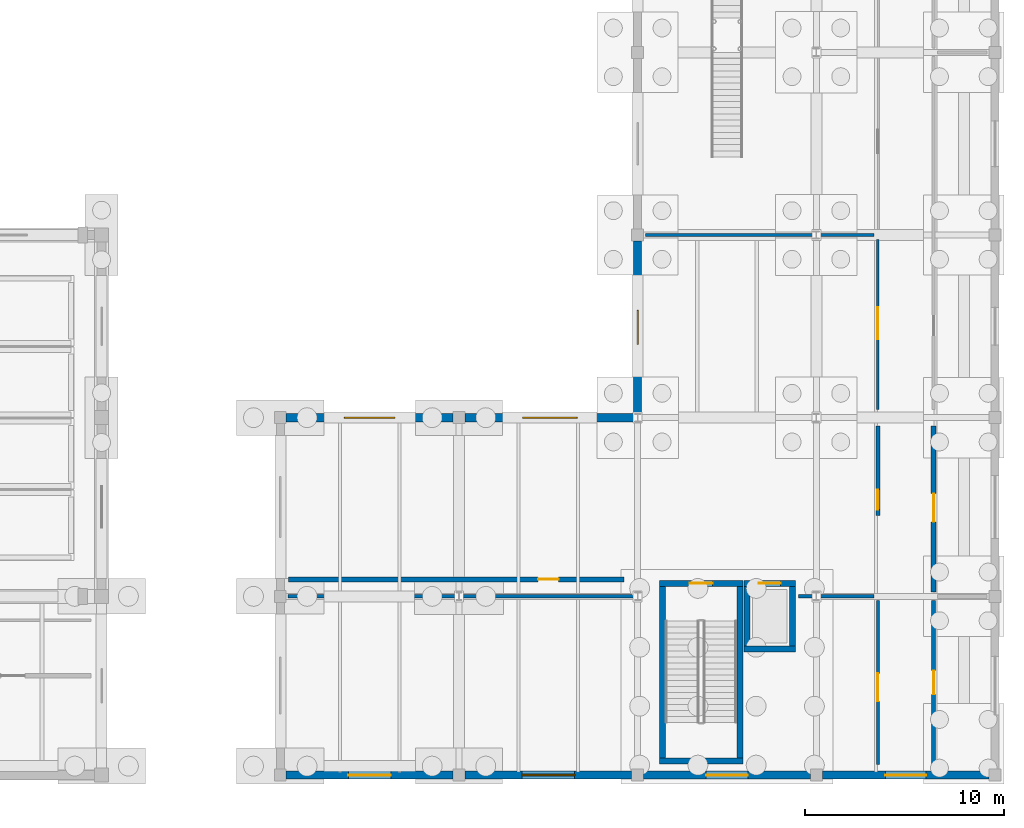
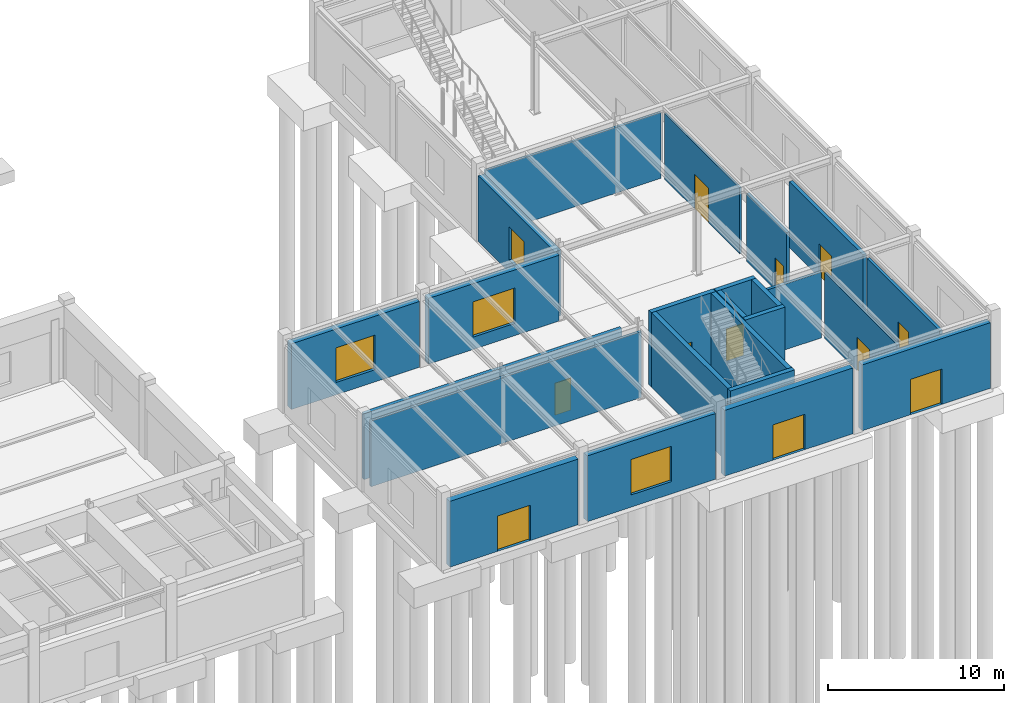
# One storey, part 61 of 76: 24 walls, 11 doors, 4 windows, 15 openings.
"""IFC4 building model written with IfcOpenShell, lengths in metres."""

from ifc_helpers import new_model, si_unit, direction, frame, frame_2d, origin, place, context, subcontext, project, spatial, rectangle, extrude, material, layer, layer_set, type_object, element, fill, save


model = new_model("IFC4")

# Units and contexts
model_context = context("Model", 3, precision=1e-05, world=origin(), true_north=direction((0.0, 1.0)))
body_context = subcontext(model_context, "Body", "Model", "MODEL_VIEW")
ifc_project = project(units=[si_unit("LENGTHUNIT", "METRE"), si_unit("AREAUNIT", "SQUARE_METRE"), si_unit("VOLUMEUNIT", "CUBIC_METRE"), si_unit("PLANEANGLEUNIT", "RADIAN"), si_unit("MASSUNIT", "GRAM", prefix="KILO")], contexts=[model_context])

# Site, building, storey
site_placement = place(None, origin())
site = spatial("IfcSite", under=ifc_project, at=site_placement, CompositionType="ELEMENT")
building_placement = place(site_placement, origin())
building = spatial("IfcBuilding", under=site, at=building_placement, Name="Bozkorgan Art Gallery", CompositionType="ELEMENT")
storey_placement = place(building_placement, origin())
storey = spatial("IfcBuildingStorey", under=building, at=storey_placement, Name="L00", CompositionType="ELEMENT", Elevation=0.0)

# Wall, opening, door
ifc_material_1 = material(Name="Concrete C40/50", Category="concrete")
ifc_layer_1 = layer(ifc_material_1, 0.300048828125, Name="Concrete C40/50")
ifc_layer_set_1 = layer_set([ifc_layer_1], Name="Concrete C40/50")
wall_type_1 = type_object("IfcWallType", Name="IWALL-CW-44", PredefinedType="SHEAR", material=ifc_layer_set_1)
wall_1_placement = place(storey_placement, frame((147.10009765625, 11.64990234375, 0.0), z_axis=(0.0, 0.0, 1.0), x_axis=(1.0, 0.0, 0.0)))
wall_1 = element("IfcWall", 1, at=wall_1_placement, inside=storey, type_object=wall_type_1, Name="CORE4 L00 stair core north shear wall", PredefinedType="SHEAR", context=body_context, shape_type="SweptSolid", body=[
    extrude(rectangle(XDim=4.199951171875, YDim=0.300048828125, at=frame_2d((2.10009765625, 0.0))), origin(), (0.0, 0.0, 1.0), 5.159912109375),
])
opening_1_placement = place(wall_1_placement, frame((1.52490234375, 0.0, 0.0)))
opening_1 = element("IfcOpeningElement", 2, at=opening_1_placement, cuts=wall_1, Name="Opening SD-41", PredefinedType="OPENING", context=body_context, shape_type="SweptSolid", body=[
    extrude(rectangle(XDim=1.14990234375, YDim=2.199951171875, at=frame_2d((0.574951171875, 1.10009765625))), frame((0.0, 0.16015625, 0.0), z_axis=(0.0, -1.0, 0.0), x_axis=(1.0, 0.0, 0.0)), (0.0, 0.0, 1.0), 0.320068359375),
])
ifc_material_2 = material(Name="Steel S355J2", Category="steel")
door_type_1 = type_object("IfcDoorType", Name="IDOOR-SD-41", OperationType="NOTDEFINED", PredefinedType="DOOR", material=ifc_material_2)
door_1_placement = place(opening_1_placement, origin())
door_1 = element("IfcDoor", 3, at=door_1_placement, inside=storey, type_object=door_type_1, Name="ST4 L00 Fire Stair Door", OperationType="SINGLE_SWING_LEFT", OverallHeight=2.199951171875, OverallWidth=1.14990234375, PredefinedType="DOOR", context=body_context, shape_type="SweptSolid", body=[
    extrude(rectangle(XDim=1.14990234375, YDim=2.199951171875, at=frame_2d((0.574951171875, 1.10009765625))), frame((0.0, 0.02490234375, 0.0), z_axis=(0.0, -1.0, 0.0), x_axis=(1.0, 0.0, 0.0)), (0.0, 0.0, 1.0), 0.050048828125),
])
fill(opening_1, door_1)

# Walls
wall_2_placement = place(storey_placement, frame((147.10009765625, 2.699951171875, 0.0), z_axis=(0.0, 0.0, 1.0), x_axis=(1.0, 0.0, 0.0)))
element("IfcWall", 4, at=wall_2_placement, inside=storey, type_object=wall_type_1, Name="CORE4 L00 stair core S shear wall", PredefinedType="SHEAR", context=body_context, shape_type="SweptSolid", body=[
    extrude(rectangle(XDim=4.199951171875, YDim=0.300048828125, at=frame_2d((2.10009765625, 0.0))), origin(), (0.0, 0.0, 1.0), 5.159912109375),
])
for number, where, z_axis, x_axis, name in (
    (5, (147.25, 2.85009765625, 0.0), (0.0, 0.0, 1.0), (0.0, 1.0, 0.0), "CORE4 L00 stair core W shear wall"),
    (6, (151.14990234375, 2.85009765625, 0.0), (0.0, 0.0, 1.0), (0.0, 1.0, 0.0), "CORE4 L00 stair core E shear wall"),
):
    element("IfcWall", number, at=place(storey_placement, frame(where, z_axis=z_axis, x_axis=x_axis)), inside=storey, type_object=wall_type_1, Name=name, PredefinedType="SHEAR", context=body_context, shape_type="SweptSolid", body=[
        extrude(rectangle(XDim=8.64990234375, YDim=0.300048828125, at=frame_2d((4.324951171875, 0.0))), origin(), (0.0, 0.0, 1.0), 5.159912109375),
    ])

# Wall, opening, door
wall_3_placement = place(storey_placement, frame((151.35009765625, 11.64990234375, 0.0), z_axis=(0.0, 0.0, 1.0), x_axis=(1.0, 0.0, 0.0)))
wall_3 = element("IfcWall", 7, at=wall_3_placement, inside=storey, type_object=wall_type_1, Name="PL4 L00 shaft front shear wall", PredefinedType="SHEAR", context=body_context, shape_type="SweptSolid", body=[
    extrude(rectangle(XDim=2.599853515625, YDim=0.300048828125, at=frame_2d((1.2998046875, 0.0))), origin(), (0.0, 0.0, 1.0), 5.159912109375),
])
opening_2_placement = place(wall_3_placement, frame((0.75, 0.0, 0.0)))
opening_2 = element("IfcOpeningElement", 8, at=opening_2_placement, cuts=wall_3, Name="Opening LD-25", PredefinedType="OPENING", context=body_context, shape_type="SweptSolid", body=[
    extrude(rectangle(XDim=1.10009765625, YDim=2.199951171875, at=frame_2d((0.550048828125, 1.10009765625))), frame((0.0, 0.16015625, 0.0), z_axis=(0.0, -1.0, 0.0), x_axis=(1.0, 0.0, 0.0)), (0.0, 0.0, 1.0), 0.320068359375),
])
door_type_2 = type_object("IfcDoorType", Name="IDOOR-LD-25", OperationType="NOTDEFINED", PredefinedType="DOOR", material=ifc_material_2)
door_2_placement = place(opening_2_placement, origin())
door_2 = element("IfcDoor", 9, at=door_2_placement, inside=storey, type_object=door_type_2, Name="LD-PL4-L00 Lift Landing Door", OperationType="SLIDING_TO_LEFT", OverallHeight=2.199951171875, OverallWidth=1.10009765625, PredefinedType="DOOR", context=body_context, shape_type="SweptSolid", body=[
    extrude(rectangle(XDim=1.10009765625, YDim=2.199951171875, at=frame_2d((0.550048828125, 1.10009765625))), frame((0.0, 0.02490234375, 0.0), z_axis=(0.0, -1.0, 0.0), x_axis=(1.0, 0.0, 0.0)), (0.0, 0.0, 1.0), 0.050048828125),
])
fill(opening_2, door_2)

# Walls
wall_4_placement = place(storey_placement, frame((151.35009765625, 8.35009765625, 0.0), z_axis=(0.0, 0.0, 1.0), x_axis=(1.0, 0.0, 0.0)))
element("IfcWall", 10, at=wall_4_placement, inside=storey, type_object=wall_type_1, Name="PL4 L00 shaft S shear wall", PredefinedType="SHEAR", context=body_context, shape_type="SweptSolid", body=[
    extrude(rectangle(XDim=2.599853515625, YDim=0.300048828125, at=frame_2d((1.2998046875, 0.0))), origin(), (0.0, 0.0, 1.0), 5.159912109375),
])
for number, where, z_axis, x_axis, name in (
    (11, (153.800048828125, 8.5, 0.0), (0.0, 0.0, 1.0), (0.0, 1.0, 0.0), "PL4 L00 shaft E shear wall"),
    (12, (151.5, 8.5, 0.0), (0.0, 0.0, 1.0), (0.0, 1.0, 0.0), "PL4 L00 shaft W shear wall"),
):
    element("IfcWall", number, at=place(storey_placement, frame(where, z_axis=z_axis, x_axis=x_axis)), inside=storey, type_object=wall_type_1, Name=name, PredefinedType="SHEAR", context=body_context, shape_type="SweptSolid", body=[
        extrude(rectangle(XDim=3.0, YDim=0.300048828125, at=frame_2d((1.5, 0.0))), origin(), (0.0, 0.0, 1.0), 5.159912109375),
    ])

# Wall, opening, door
ifc_material_3 = material(Name="Acoustic Gypsum & Mineral Wool Partition")
ifc_layer_2 = layer(ifc_material_3, 0.22998046875, Name="Acoustic Gypsum & Mineral Wool Partition")
ifc_layer_set_2 = layer_set([ifc_layer_2], Name="Acoustic Gypsum & Mineral Wool Partition")
wall_type_2 = type_object("IfcWallType", Name="IWALL-PR-08", PredefinedType="PARTITIONING", material=ifc_layer_set_2)
wall_5_placement = place(storey_placement, frame((128.419921875, 11.85009765625, 0.0), z_axis=(0.0, 0.0, 1.0), x_axis=(1.0, 0.0, 0.0)))
wall_5 = element("IfcWall", 13, at=wall_5_placement, inside=storey, type_object=wall_type_2, Name="V6 L00 acoustic partition wall 353", PredefinedType="PARTITIONING", context=body_context, shape_type="SweptSolid", body=[
    extrude(rectangle(XDim=16.880126953125, YDim=0.22998046875, at=frame_2d((8.43994140625, 0.0))), origin(), (0.0, 0.0, 1.0), 4.554931640625),
])
opening_3_placement = place(wall_5_placement, frame((12.564208984375, 0.0, 0.0)))
opening_3 = element("IfcOpeningElement", 14, at=opening_3_placement, cuts=wall_5, Name="Opening FD-96", PredefinedType="OPENING", context=body_context, shape_type="SweptSolid", body=[
    extrude(rectangle(XDim=1.0400390625, YDim=2.219970703125, at=frame_2d((0.52001953125, 1.10986328125))), frame((0.0, 0.125, 0.0), z_axis=(0.0, -1.0, 0.0), x_axis=(1.0, 0.0, 0.0)), (0.0, 0.0, 1.0), 0.25),
])
ifc_material_4 = material(Name="Oiled European Oak Joinery")
door_type_3 = type_object("IfcDoorType", Name="IDOOR-FD-96", OperationType="NOTDEFINED", PredefinedType="DOOR", material=ifc_material_4)
door_3_placement = place(opening_3_placement, origin())
door_3 = element("IfcDoor", 15, at=door_3_placement, inside=storey, type_object=door_type_3, Name="Family Studio Classroom Door", OperationType="SINGLE_SWING_LEFT", OverallHeight=2.219970703125, OverallWidth=1.0400390625, PredefinedType="DOOR", context=body_context, shape_type="SweptSolid", body=[
    extrude(rectangle(XDim=1.0400390625, YDim=2.219970703125, at=frame_2d((0.52001953125, 1.10986328125))), frame((0.0, 0.02490234375, 0.0), z_axis=(0.0, -1.0, 0.0), x_axis=(1.0, 0.0, 0.0)), (0.0, 0.0, 1.0), 0.050048828125),
])
fill(opening_3, door_3)

wall_6_placement = place(storey_placement, frame((160.89990234375, 11.219970703125, 0.0), z_axis=(0.0, 0.0, 1.0), x_axis=(0.0, 1.0, 0.0)))
wall_6 = element("IfcWall", 16, at=wall_6_placement, inside=storey, type_object=wall_type_2, Name="V6 L00 acoustic partition wall 359", PredefinedType="PARTITIONING", context=body_context, shape_type="SweptSolid", body=[
    extrude(rectangle(XDim=8.360107421875, YDim=0.22998046875, at=frame_2d((4.18017578125, 0.0))), origin(), (0.0, 0.0, 1.0), 4.554931640625),
])
opening_4_placement = place(wall_6_placement, frame((3.531005859375, 0.0, 0.0)))
opening_4 = element("IfcOpeningElement", 17, at=opening_4_placement, cuts=wall_6, Name="Opening GD-50", PredefinedType="OPENING", context=body_context, shape_type="SweptSolid", body=[
    extrude(rectangle(XDim=1.419921875, YDim=2.300048828125, at=frame_2d((0.7099609375, 1.14990234375))), frame((0.0, 0.125, 0.0), z_axis=(0.0, -1.0, 0.0), x_axis=(1.0, 0.0, 0.0)), (0.0, 0.0, 1.0), 0.25),
])
door_type_4 = type_object("IfcDoorType", Name="IDOOR-GD-50", OperationType="NOTDEFINED", PredefinedType="DOOR", material=ifc_material_4)
door_4_placement = place(opening_4_placement, origin())
door_4 = element("IfcDoor", 18, at=door_4_placement, inside=storey, type_object=door_type_4, Name="Schools' Welcome Hall Door", OperationType="DOUBLE_DOOR_SINGLE_SWING", OverallHeight=2.300048828125, OverallWidth=1.419921875, PredefinedType="DOOR", context=body_context, shape_type="SweptSolid", body=[
    extrude(rectangle(XDim=1.419921875, YDim=2.300048828125, at=frame_2d((0.7099609375, 1.14990234375))), frame((0.0, 0.02490234375, 0.0), z_axis=(0.0, -1.0, 0.0), x_axis=(1.0, 0.0, 0.0)), (0.0, 0.0, 1.0), 0.050048828125),
])
fill(opening_4, door_4)

ifc_layer_3 = layer(ifc_material_3, 0.2099609375, Name="Acoustic Gypsum & Mineral Wool Partition")
ifc_layer_set_3 = layer_set([ifc_layer_3], Name="Acoustic Gypsum & Mineral Wool Partition")
wall_type_3 = type_object("IfcWallType", Name="IWALL-PR-38", PredefinedType="PARTITIONING", material=ifc_layer_set_3)
wall_7_placement = place(storey_placement, frame((158.10009765625, 15.070068359375, 0.0), z_axis=(0.0, 0.0, 1.0), x_axis=(0.0, 1.0, 0.0)))
wall_7 = element("IfcWall", 19, at=wall_7_placement, inside=storey, type_object=wall_type_3, Name="V6 L00 acoustic partition wall 352", PredefinedType="PARTITIONING", context=body_context, shape_type="SweptSolid", body=[
    extrude(rectangle(XDim=4.510009765625, YDim=0.2099609375, at=frame_2d((2.2548828125, 0.0))), origin(), (0.0, 0.0, 1.0), 4.715087890625),
])
opening_5_placement = place(wall_7_placement, frame((1.300048828125, 0.0, 0.0), z_axis=(0.0, 0.0, 1.0), x_axis=(-1.0, 0.0, 0.0)))
opening_5 = element("IfcOpeningElement", 20, at=opening_5_placement, cuts=wall_7, Name="Opening FD-60", PredefinedType="OPENING", context=body_context, shape_type="SweptSolid", body=[
    extrude(rectangle(XDim=1.0, YDim=2.199951171875, at=frame_2d((0.5, 1.10009765625))), frame((0.0, 0.114990234375, 0.0), z_axis=(0.0, -1.0, 0.0), x_axis=(1.0, 0.0, 0.0)), (0.0, 0.0, 1.0), 0.22998046875),
])
door_type_5 = type_object("IfcDoorType", Name="IDOOR-FD-60", OperationType="NOTDEFINED", PredefinedType="DOOR", material=ifc_material_4)
door_5_placement = place(opening_5_placement, origin())
door_5 = element("IfcDoor", 21, at=door_5_placement, inside=storey, type_object=door_type_5, Name="Youth Clay Workshop Door", OperationType="SINGLE_SWING_RIGHT", OverallHeight=2.199951171875, OverallWidth=1.0, PredefinedType="DOOR", context=body_context, shape_type="SweptSolid", body=[
    extrude(rectangle(XDim=1.0, YDim=2.199951171875, at=frame_2d((0.5, 1.10009765625))), frame((0.0, 0.02490234375, 0.0), z_axis=(0.0, -1.0, 0.0), x_axis=(1.0, 0.0, 0.0)), (0.0, 0.0, 1.0), 0.050048828125),
])
fill(opening_5, door_5)

ifc_layer_4 = layer(ifc_material_3, 0.14990234375, Name="Acoustic Gypsum & Mineral Wool Partition")
ifc_layer_set_4 = layer_set([ifc_layer_4], Name="Acoustic Gypsum & Mineral Wool Partition")
wall_type_4 = type_object("IfcWallType", Name="IWALL-PR-55", PredefinedType="PARTITIONING", material=ifc_layer_set_4)
wall_8_placement = place(storey_placement, frame((158.10009765625, 2.5400390625, 0.0), z_axis=(0.0, 0.0, 1.0), x_axis=(0.0, 1.0, 0.0)))
wall_8 = element("IfcWall", 22, at=wall_8_placement, inside=storey, type_object=wall_type_4, Name="V6 L00 acoustic partition wall 349", PredefinedType="PARTITIONING", context=body_context, shape_type="SweptSolid", body=[
    extrude(rectangle(XDim=8.239990234375, YDim=0.14990234375, at=frame_2d((4.1201171875, 0.0))), origin(), (0.0, 0.0, 1.0), 4.554931640625),
])
opening_6_placement = place(wall_8_placement, frame((4.585205078125, 0.0, 0.0), z_axis=(0.0, 0.0, 1.0), x_axis=(-1.0, 0.0, 0.0)))
opening_6 = element("IfcOpeningElement", 23, at=opening_6_placement, cuts=wall_8, Name="Opening GD-50", PredefinedType="OPENING", context=body_context, shape_type="SweptSolid", body=[
    extrude(rectangle(XDim=1.419921875, YDim=2.300048828125, at=frame_2d((0.7099609375, 1.14990234375))), frame((0.0, 0.0849609375, 0.0), z_axis=(0.0, -1.0, 0.0), x_axis=(1.0, 0.0, 0.0)), (0.0, 0.0, 1.0), 0.169921875),
])
door_6_placement = place(opening_6_placement, origin())
door_6 = element("IfcDoor", 24, at=door_6_placement, inside=storey, type_object=door_type_4, Name="Schools' Welcome Hall Door", OperationType="DOUBLE_DOOR_SINGLE_SWING", OverallHeight=2.300048828125, OverallWidth=1.419921875, PredefinedType="DOOR", context=body_context, shape_type="SweptSolid", body=[
    extrude(rectangle(XDim=1.419921875, YDim=2.300048828125, at=frame_2d((0.7099609375, 1.14990234375))), frame((0.0, 0.02490234375, 0.0), z_axis=(0.0, -1.0, 0.0), x_axis=(1.0, 0.0, 0.0)), (0.0, 0.0, 1.0), 0.050048828125),
])
fill(opening_6, door_6)

ifc_layer_5 = layer(ifc_material_3, 0.18994140625, Name="Acoustic Gypsum & Mineral Wool Partition")
ifc_layer_set_5 = layer_set([ifc_layer_5], Name="Acoustic Gypsum & Mineral Wool Partition")
wall_type_5 = type_object("IfcWallType", Name="IWALL-PR-66", PredefinedType="PARTITIONING", material=ifc_layer_set_5)
wall_9_placement = place(storey_placement, frame((160.89990234375, 2.5400390625, 0.0), z_axis=(0.0, 0.0, 1.0), x_axis=(0.0, 1.0, 0.0)))
wall_9 = element("IfcWall", 25, at=wall_9_placement, inside=storey, type_object=wall_type_5, Name="V6 L00 acoustic partition wall 357", PredefinedType="PARTITIONING", context=body_context, shape_type="SweptSolid", body=[
    extrude(rectangle(XDim=8.239990234375, YDim=0.18994140625, at=frame_2d((4.1201171875, 0.0))), origin(), (0.0, 0.0, 1.0), 4.554931640625),
])
opening_7_placement = place(wall_9_placement, frame((3.519287109375, 0.0, 0.0)))
opening_7 = element("IfcOpeningElement", 26, at=opening_7_placement, cuts=wall_9, Name="Opening FD-05", PredefinedType="OPENING", context=body_context, shape_type="SweptSolid", body=[
    extrude(rectangle(XDim=1.199951171875, YDim=2.300048828125, at=frame_2d((0.60009765625, 1.14990234375))), frame((0.0, 0.10498046875, 0.0), z_axis=(0.0, -1.0, 0.0), x_axis=(1.0, 0.0, 0.0)), (0.0, 0.0, 1.0), 0.2099609375),
])
door_type_6 = type_object("IfcDoorType", Name="IDOOR-FD-05", OperationType="NOTDEFINED", PredefinedType="DOOR", material=ifc_material_4)
door_7_placement = place(opening_7_placement, origin())
door_7 = element("IfcDoor", 27, at=door_7_placement, inside=storey, type_object=door_type_6, Name="Collection Archive Room Door", OperationType="SINGLE_SWING_RIGHT", OverallHeight=2.300048828125, OverallWidth=1.199951171875, PredefinedType="DOOR", context=body_context, shape_type="SweptSolid", body=[
    extrude(rectangle(XDim=1.199951171875, YDim=2.300048828125, at=frame_2d((0.60009765625, 1.14990234375))), frame((0.0, 0.02490234375, 0.0), z_axis=(0.0, -1.0, 0.0), x_axis=(1.0, 0.0, 0.0)), (0.0, 0.0, 1.0), 0.050048828125),
])
fill(opening_7, door_7)

ifc_layer_6 = layer(ifc_material_3, 0.1298828125, Name="Acoustic Gypsum & Mineral Wool Partition")
ifc_layer_set_6 = layer_set([ifc_layer_6], Name="Acoustic Gypsum & Mineral Wool Partition")
wall_type_6 = type_object("IfcWallType", Name="IWALL-PR-76", PredefinedType="PARTITIONING", material=ifc_layer_set_6)
wall_10_placement = place(storey_placement, frame((158.10009765625, 20.419921875, 0.0), z_axis=(0.0, 0.0, 1.0), x_axis=(0.0, 1.0, 0.0)))
wall_10 = element("IfcWall", 28, at=wall_10_placement, inside=storey, type_object=wall_type_6, Name="V6 L00 acoustic partition wall 354", PredefinedType="PARTITIONING", context=body_context, shape_type="SweptSolid", body=[
    extrude(rectangle(XDim=8.56005859375, YDim=0.1298828125, at=frame_2d((4.280029296875, 0.0))), origin(), (0.0, 0.0, 1.0), 4.554931640625),
])
opening_8_placement = place(wall_10_placement, frame((5.150146484375, 0.0, 0.0), z_axis=(0.0, 0.0, 1.0), x_axis=(-1.0, 0.0, 0.0)))
opening_8 = element("IfcOpeningElement", 29, at=opening_8_placement, cuts=wall_10, Name="Opening GD-81", PredefinedType="OPENING", context=body_context, shape_type="SweptSolid", body=[
    extrude(rectangle(XDim=1.6201171875, YDim=2.39990234375, at=frame_2d((0.81005859375, 1.199951171875))), frame((0.0, 0.074951171875, 0.0), z_axis=(0.0, -1.0, 0.0), x_axis=(1.0, 0.0, 0.0)), (0.0, 0.0, 1.0), 0.14990234375),
])
door_type_7 = type_object("IfcDoorType", Name="IDOOR-GD-81", OperationType="NOTDEFINED", PredefinedType="DOOR", material=ifc_material_4)
door_8_placement = place(opening_8_placement, origin())
door_8 = element("IfcDoor", 30, at=door_8_placement, inside=storey, type_object=door_type_7, Name="Community Project Gallery Door", OperationType="DOUBLE_DOOR_SINGLE_SWING", OverallHeight=2.39990234375, OverallWidth=1.6201171875, PredefinedType="DOOR", context=body_context, shape_type="SweptSolid", body=[
    extrude(rectangle(XDim=1.6201171875, YDim=2.39990234375, at=frame_2d((0.81005859375, 1.199951171875))), frame((0.0, 0.02490234375, 0.0), z_axis=(0.0, -1.0, 0.0), x_axis=(1.0, 0.0, 0.0)), (0.0, 0.0, 1.0), 0.050048828125),
])
fill(opening_8, door_8)

# Walls
ifc_layer_7 = layer(ifc_material_3, 0.169921875, Name="Acoustic Gypsum & Mineral Wool Partition")
ifc_layer_set_7 = layer_set([ifc_layer_7], Name="Acoustic Gypsum & Mineral Wool Partition")
wall_type_7 = type_object("IfcWallType", Name="IWALL-PW-02", PredefinedType="PARTITIONING", material=ifc_layer_set_7)
wall_11_placement = place(storey_placement, frame((128.39990234375, 11.0, 0.0), z_axis=(0.0, 0.0, 1.0), x_axis=(1.0, 0.0, 0.0)))
element("IfcWall", 31, at=wall_11_placement, inside=storey, type_object=wall_type_7, Name="V6 L00 acoustic partition wall 350", PredefinedType="PARTITIONING", context=body_context, shape_type="SweptSolid", body=[
    extrude(rectangle(XDim=17.72021484375, YDim=0.169921875, at=frame_2d((8.860107421875, 0.0))), origin(), (0.0, 0.0, 1.0), 4.554931640625),
])
ifc_layer_8 = layer(ifc_material_3, 0.14990234375, Name="Acoustic Gypsum & Mineral Wool Partition")
ifc_layer_set_8 = layer_set([ifc_layer_8], Name="Acoustic Gypsum & Mineral Wool Partition")
wall_type_8 = type_object("IfcWallType", Name="IWALL-PW-17", PredefinedType="PARTITIONING", material=ifc_layer_set_8)
wall_12_placement = place(storey_placement, frame((146.39990234375, 29.199951171875, 0.0), z_axis=(0.0, 0.0, 1.0), x_axis=(1.0, 0.0, 0.0)))
element("IfcWall", 32, at=wall_12_placement, inside=storey, type_object=wall_type_8, Name="V6 L00 acoustic partition wall 355", PredefinedType="PARTITIONING", context=body_context, shape_type="SweptSolid", body=[
    extrude(rectangle(XDim=11.5, YDim=0.14990234375, at=frame_2d((5.75, 0.0))), origin(), (0.0, 0.0, 1.0), 4.554931640625),
])
ifc_layer_9 = layer(ifc_material_3, 0.18994140625, Name="Acoustic Gypsum & Mineral Wool Partition")
ifc_layer_set_9 = layer_set([ifc_layer_9], Name="Acoustic Gypsum & Mineral Wool Partition")
wall_type_9 = type_object("IfcWallType", Name="IWALL-PW-23", PredefinedType="PARTITIONING", material=ifc_layer_set_9)
wall_13_placement = place(storey_placement, frame((154.110107421875, 11.0, 0.0), z_axis=(0.0, 0.0, 1.0), x_axis=(1.0, 0.0, 0.0)))
element("IfcWall", 33, at=wall_13_placement, inside=storey, type_object=wall_type_9, Name="V6 L00 acoustic partition wall 351", PredefinedType="PARTITIONING", context=body_context, shape_type="SweptSolid", body=[
    extrude(rectangle(XDim=3.789794921875, YDim=0.18994140625, at=frame_2d((1.89501953125, 0.0))), origin(), (0.0, 0.0, 1.0), 4.554931640625),
])

# Wall, opening, door
ifc_material_5 = material(Name="Kordai Rose Granite Ashlar", Category="masonry")
ifc_layer_10 = layer(ifc_material_5, 0.419921875, Name="Kordai Rose Granite Ashlar")
ifc_layer_set_10 = layer_set([ifc_layer_10], Name="Kordai Rose Granite Ashlar")
wall_type_10 = type_object("IfcWallType", Name="WALL-EW-45", PredefinedType="STANDARD", material=ifc_layer_set_10)
wall_14_placement = place(storey_placement, frame((155.300048828125, 2.0, 0.0), z_axis=(0.0, 0.0, 1.0), x_axis=(1.0, 0.0, 0.0)))
wall_14 = element("IfcWall", 34, at=wall_14_placement, inside=storey, type_object=wall_type_10, Name="V6 L00 entrance portal wall (ED17)", PredefinedType="STANDARD", context=body_context, shape_type="SweptSolid", body=[
    extrude(rectangle(XDim=8.39990234375, YDim=0.419921875, at=frame_2d((4.199951171875, 0.0))), origin(), (0.0, 0.0, 1.0), 4.554931640625),
])
opening_9_placement = place(wall_14_placement, frame((5.22509765625, 0.0, 0.0), z_axis=(0.0, 0.0, 1.0), x_axis=(-1.0, 0.0, 0.0)))
opening_9 = element("IfcOpeningElement", 35, at=opening_9_placement, cuts=wall_14, Name="Opening ED-19", PredefinedType="OPENING", context=body_context, shape_type="SweptSolid", body=[
    extrude(rectangle(XDim=2.050048828125, YDim=2.449951171875, at=frame_2d((1.02490234375, 1.22509765625))), frame((0.0, 0.219970703125, 0.0), z_axis=(0.0, -1.0, 0.0), x_axis=(1.0, 0.0, 0.0)), (0.0, 0.0, 1.0), 0.43994140625),
])
ifc_material_6 = material(Name="Anodised Bronze Aluminium", Category="aluminium")
door_type_8 = type_object("IfcDoorType", Name="DOOR-ED-19", OperationType="NOTDEFINED", PredefinedType="DOOR", material=ifc_material_6)
door_9_placement = place(opening_9_placement, origin())
door_9 = element("IfcDoor", 36, at=door_9_placement, inside=storey, type_object=door_type_8, Name="ED17 Final Exit Portal Door", OperationType="DOUBLE_DOOR_SINGLE_SWING", OverallHeight=2.449951171875, OverallWidth=2.050048828125, PredefinedType="DOOR", context=body_context, shape_type="SweptSolid", body=[
    extrude(rectangle(XDim=2.050048828125, YDim=2.449951171875, at=frame_2d((1.02490234375, 1.22509765625))), frame((0.0, 0.02490234375, 0.0), z_axis=(0.0, -1.0, 0.0), x_axis=(1.0, 0.0, 0.0)), (0.0, 0.0, 1.0), 0.050048828125),
])
fill(opening_9, door_9)

ifc_layer_11 = layer(ifc_material_5, 0.39990234375, Name="Kordai Rose Granite Ashlar")
ifc_layer_set_11 = layer_set([ifc_layer_11], Name="Kordai Rose Granite Ashlar")
wall_type_11 = type_object("IfcWallType", Name="WALL-EW-92", PredefinedType="STANDARD", material=ifc_layer_set_11)
wall_15_placement = place(storey_placement, frame((128.300048828125, 2.0, 0.0), z_axis=(0.0, 0.0, 1.0), x_axis=(1.0, 0.0, 0.0)))
wall_15 = element("IfcWall", 37, at=wall_15_placement, inside=storey, type_object=wall_type_11, Name="V6 L00 entrance portal wall (ED13)", PredefinedType="STANDARD", context=body_context, shape_type="SweptSolid", body=[
    extrude(rectangle(XDim=8.39990234375, YDim=0.39990234375, at=frame_2d((4.199951171875, 0.0))), origin(), (0.0, 0.0, 1.0), 4.554931640625),
])
opening_10_placement = place(wall_15_placement, frame((5.27490234375, 0.0, 0.0), z_axis=(0.0, 0.0, 1.0), x_axis=(-1.0, 0.0, 0.0)))
opening_10 = element("IfcOpeningElement", 38, at=opening_10_placement, cuts=wall_15, Name="Opening ED-67", PredefinedType="OPENING", context=body_context, shape_type="SweptSolid", body=[
    extrude(rectangle(XDim=2.14990234375, YDim=2.449951171875, at=frame_2d((1.074951171875, 1.22509765625))), frame((0.0, 0.2099609375, 0.0), z_axis=(0.0, -1.0, 0.0), x_axis=(1.0, 0.0, 0.0)), (0.0, 0.0, 1.0), 0.419921875),
])
door_type_9 = type_object("IfcDoorType", Name="DOOR-ED-67", OperationType="NOTDEFINED", PredefinedType="DOOR", material=ifc_material_6)
door_10_placement = place(opening_10_placement, origin())
door_10 = element("IfcDoor", 39, at=door_10_placement, inside=storey, type_object=door_type_9, Name="ED13 Final Exit Portal Door", OperationType="DOUBLE_DOOR_SINGLE_SWING", OverallHeight=2.449951171875, OverallWidth=2.14990234375, PredefinedType="DOOR", context=body_context, shape_type="SweptSolid", body=[
    extrude(rectangle(XDim=2.14990234375, YDim=2.449951171875, at=frame_2d((1.074951171875, 1.22509765625))), frame((0.0, 0.02490234375, 0.0), z_axis=(0.0, -1.0, 0.0), x_axis=(1.0, 0.0, 0.0)), (0.0, 0.0, 1.0), 0.050048828125),
])
fill(opening_10, door_10)

wall_16_placement = place(storey_placement, frame((146.300048828125, 2.0, 0.0), z_axis=(0.0, 0.0, 1.0), x_axis=(1.0, 0.0, 0.0)))
wall_16 = element("IfcWall", 40, at=wall_16_placement, inside=storey, type_object=wall_type_11, Name="V6 L00 entrance portal wall (ED08)", PredefinedType="STANDARD", context=body_context, shape_type="SweptSolid", body=[
    extrude(rectangle(XDim=8.39990234375, YDim=0.39990234375, at=frame_2d((4.199951171875, 0.0))), origin(), (0.0, 0.0, 1.0), 4.554931640625),
])
opening_11_placement = place(wall_16_placement, frame((5.25, 0.0, 0.0), z_axis=(0.0, 0.0, 1.0), x_axis=(-1.0, 0.0, 0.0)))
opening_11 = element("IfcOpeningElement", 41, at=opening_11_placement, cuts=wall_16, Name="Opening ED-35", PredefinedType="OPENING", context=body_context, shape_type="SweptSolid", body=[
    extrude(rectangle(XDim=2.10009765625, YDim=2.449951171875, at=frame_2d((1.050048828125, 1.22509765625))), frame((0.0, 0.2099609375, 0.0), z_axis=(0.0, -1.0, 0.0), x_axis=(1.0, 0.0, 0.0)), (0.0, 0.0, 1.0), 0.419921875),
])
door_type_10 = type_object("IfcDoorType", Name="DOOR-ED-35", OperationType="NOTDEFINED", PredefinedType="DOOR", material=ifc_material_6)
door_11_placement = place(opening_11_placement, origin())
door_11 = element("IfcDoor", 42, at=door_11_placement, inside=storey, type_object=door_type_10, Name="ED08 Final Exit Portal Door", OperationType="DOUBLE_DOOR_SINGLE_SWING", OverallHeight=2.449951171875, OverallWidth=2.10009765625, PredefinedType="DOOR", context=body_context, shape_type="SweptSolid", body=[
    extrude(rectangle(XDim=2.10009765625, YDim=2.449951171875, at=frame_2d((1.050048828125, 1.22509765625))), frame((0.0, 0.02490234375, 0.0), z_axis=(0.0, -1.0, 0.0), x_axis=(1.0, 0.0, 0.0)), (0.0, 0.0, 1.0), 0.050048828125),
])
fill(opening_11, door_11)

# Wall, opening, window
ifc_layer_12 = layer(ifc_material_5, 0.419921875, Name="Kordai Rose Granite Ashlar")
ifc_layer_set_12 = layer_set([ifc_layer_12], Name="Kordai Rose Granite Ashlar")
wall_type_12 = type_object("IfcWallType", Name="WALL-WG-54", PredefinedType="STANDARD", material=ifc_layer_set_12)
wall_17_placement = place(storey_placement, frame((128.300048828125, 20.0, 0.0), z_axis=(0.0, 0.0, 1.0), x_axis=(1.0, 0.0, 0.0)))
wall_17 = element("IfcWall", 43, at=wall_17_placement, inside=storey, type_object=wall_type_12, Name="V6 L00 exterior facade wall 1N-2", PredefinedType="STANDARD", context=body_context, shape_type="SweptSolid", body=[
    extrude(rectangle(XDim=8.39990234375, YDim=0.419921875, at=frame_2d((4.199951171875, 0.0))), origin(), (0.0, 0.0, 1.0), 4.554931640625),
])
opening_12_placement = place(wall_17_placement, frame((2.925048828125, 0.0, 0.85009765625)))
opening_12 = element("IfcOpeningElement", 44, at=opening_12_placement, cuts=wall_17, Name="Opening WN-23", PredefinedType="OPENING", context=body_context, shape_type="SweptSolid", body=[
    extrude(rectangle(XDim=2.550048828125, YDim=2.39990234375, at=frame_2d((1.27490234375, 1.199951171875))), frame((0.0, 0.219970703125, 0.0), z_axis=(0.0, -1.0, 0.0), x_axis=(1.0, 0.0, 0.0)), (0.0, 0.0, 1.0), 0.43994140625),
])
ifc_material_7 = material(Name="Triple Low-E Laminated Glass", Category="glass")
window_type_1 = type_object("IfcWindowType", Name="WIN-WN-23", PartitioningType="SINGLE_PANEL", PredefinedType="WINDOW", material=ifc_material_7)
window_1_placement = place(opening_12_placement, origin())
window_1 = element("IfcWindow", 45, at=window_1_placement, inside=storey, type_object=window_type_1, Name="V6 L00 gallery window 1N-2", OverallHeight=2.39990234375, OverallWidth=2.550048828125, PartitioningType="SINGLE_PANEL", PredefinedType="WINDOW", context=body_context, shape_type="SweptSolid", body=[
    extrude(rectangle(XDim=2.550048828125, YDim=2.39990234375, at=frame_2d((1.27490234375, 1.199951171875))), frame((0.0, 0.030029296875, 0.0), z_axis=(0.0, -1.0, 0.0), x_axis=(1.0, 0.0, 0.0)), (0.0, 0.0, 1.0), 0.06005859375),
])
fill(opening_12, window_1)

wall_18_placement = place(storey_placement, frame((137.300048828125, 20.0, 0.0), z_axis=(0.0, 0.0, 1.0), x_axis=(1.0, 0.0, 0.0)))
wall_18 = element("IfcWall", 46, at=wall_18_placement, inside=storey, type_object=wall_type_12, Name="V6 L00 exterior facade wall 1N-4", PredefinedType="STANDARD", context=body_context, shape_type="SweptSolid", body=[
    extrude(rectangle(XDim=8.550048828125, YDim=0.419921875, at=frame_2d((4.27490234375, 0.0))), origin(), (0.0, 0.0, 1.0), 4.554931640625),
])
opening_13_placement = place(wall_18_placement, frame((2.89990234375, 0.0, 0.85009765625)))
opening_13 = element("IfcOpeningElement", 47, at=opening_13_placement, cuts=wall_18, Name="Opening WN-02", PredefinedType="OPENING", context=body_context, shape_type="SweptSolid", body=[
    extrude(rectangle(XDim=2.75, YDim=2.449951171875, at=frame_2d((1.375, 1.22509765625))), frame((0.0, 0.219970703125, 0.0), z_axis=(0.0, -1.0, 0.0), x_axis=(1.0, 0.0, 0.0)), (0.0, 0.0, 1.0), 0.43994140625),
])
window_type_2 = type_object("IfcWindowType", Name="WIN-WN-02", PartitioningType="SINGLE_PANEL", PredefinedType="WINDOW", material=ifc_material_7)
window_2_placement = place(opening_13_placement, origin())
window_2 = element("IfcWindow", 48, at=window_2_placement, inside=storey, type_object=window_type_2, Name="V6 L00 gallery window 1N-4", OverallHeight=2.449951171875, OverallWidth=2.75, PartitioningType="SINGLE_PANEL", PredefinedType="WINDOW", context=body_context, shape_type="SweptSolid", body=[
    extrude(rectangle(XDim=2.75, YDim=2.449951171875, at=frame_2d((1.375, 1.22509765625))), frame((0.0, 0.030029296875, 0.0), z_axis=(0.0, -1.0, 0.0), x_axis=(1.0, 0.0, 0.0)), (0.0, 0.0, 1.0), 0.06005859375),
])
fill(opening_13, window_2)

ifc_layer_13 = layer(ifc_material_5, 0.39990234375, Name="Kordai Rose Granite Ashlar")
ifc_layer_set_13 = layer_set([ifc_layer_13], Name="Kordai Rose Granite Ashlar")
wall_type_13 = type_object("IfcWallType", Name="WALL-WG-66", PredefinedType="STANDARD", material=ifc_layer_set_13)
wall_19_placement = place(storey_placement, frame((137.300048828125, 2.0, 0.0), z_axis=(0.0, 0.0, 1.0), x_axis=(1.0, 0.0, 0.0)))
wall_19 = element("IfcWall", 49, at=wall_19_placement, inside=storey, type_object=wall_type_13, Name="V6 L00 exterior facade wall 1S-3", PredefinedType="STANDARD", context=body_context, shape_type="SweptSolid", body=[
    extrude(rectangle(XDim=8.39990234375, YDim=0.39990234375, at=frame_2d((4.199951171875, 0.0))), origin(), (0.0, 0.0, 1.0), 4.554931640625),
])
opening_14_placement = place(wall_19_placement, frame((5.52490234375, 0.0, 0.85009765625), z_axis=(0.0, 0.0, 1.0), x_axis=(-1.0, 0.0, 0.0)))
opening_14 = element("IfcOpeningElement", 50, at=opening_14_placement, cuts=wall_19, Name="Opening WN-80", PredefinedType="OPENING", context=body_context, shape_type="SweptSolid", body=[
    extrude(rectangle(XDim=2.64990234375, YDim=2.449951171875, at=frame_2d((1.324951171875, 1.22509765625))), frame((0.0, 0.2099609375, 0.0), z_axis=(0.0, -1.0, 0.0), x_axis=(1.0, 0.0, 0.0)), (0.0, 0.0, 1.0), 0.419921875),
])
window_type_3 = type_object("IfcWindowType", Name="WIN-WN-80", PartitioningType="SINGLE_PANEL", PredefinedType="WINDOW", material=ifc_material_7)
window_3_placement = place(opening_14_placement, origin())
window_3 = element("IfcWindow", 51, at=window_3_placement, inside=storey, type_object=window_type_3, Name="V6 L00 gallery window 1S-3", OverallHeight=2.449951171875, OverallWidth=2.64990234375, PartitioningType="SINGLE_PANEL", PredefinedType="WINDOW", context=body_context, shape_type="SweptSolid", body=[
    extrude(rectangle(XDim=2.64990234375, YDim=2.449951171875, at=frame_2d((1.324951171875, 1.22509765625))), frame((0.0, 0.030029296875, 0.0), z_axis=(0.0, -1.0, 0.0), x_axis=(1.0, 0.0, 0.0)), (0.0, 0.0, 1.0), 0.06005859375),
])
fill(opening_14, window_3)

wall_20_placement = place(storey_placement, frame((146.0, 20.195068359375, 0.0), z_axis=(0.0, 0.0, 1.0), x_axis=(0.0, 1.0, 0.0)))
wall_20 = element("IfcWall", 52, at=wall_20_placement, inside=storey, type_object=wall_type_13, Name="V6 L00 exterior facade wall 2W-3", PredefinedType="STANDARD", context=body_context, shape_type="SweptSolid", body=[
    extrude(rectangle(XDim=8.704833984375, YDim=0.39990234375, at=frame_2d((4.3525390625, 0.0))), origin(), (0.0, 0.0, 1.0), 4.554931640625),
])
opening_15_placement = place(wall_20_placement, frame((3.50244140625, 0.0, 0.85009765625)))
opening_15 = element("IfcOpeningElement", 53, at=opening_15_placement, cuts=wall_20, Name="Opening WN-58", PredefinedType="OPENING", context=body_context, shape_type="SweptSolid", body=[
    extrude(rectangle(XDim=1.699951171875, YDim=2.300048828125, at=frame_2d((0.85009765625, 1.14990234375))), frame((0.0, 0.2099609375, 0.0), z_axis=(0.0, -1.0, 0.0), x_axis=(1.0, 0.0, 0.0)), (0.0, 0.0, 1.0), 0.419921875),
])
window_type_4 = type_object("IfcWindowType", Name="WIN-WN-58", PartitioningType="SINGLE_PANEL", PredefinedType="WINDOW", material=ifc_material_7)
window_4_placement = place(opening_15_placement, origin())
window_4 = element("IfcWindow", 54, at=window_4_placement, inside=storey, type_object=window_type_4, Name="V6 L00 gallery window 2W-3", OverallHeight=2.300048828125, OverallWidth=1.699951171875, PartitioningType="SINGLE_PANEL", PredefinedType="WINDOW", context=body_context, shape_type="SweptSolid", body=[
    extrude(rectangle(XDim=1.699951171875, YDim=2.300048828125, at=frame_2d((0.85009765625, 1.14990234375))), frame((0.0, 0.030029296875, 0.0), z_axis=(0.0, -1.0, 0.0), x_axis=(1.0, 0.0, 0.0)), (0.0, 0.0, 1.0), 0.06005859375),
])
fill(opening_15, window_4)

save(model, "model.ifc")
